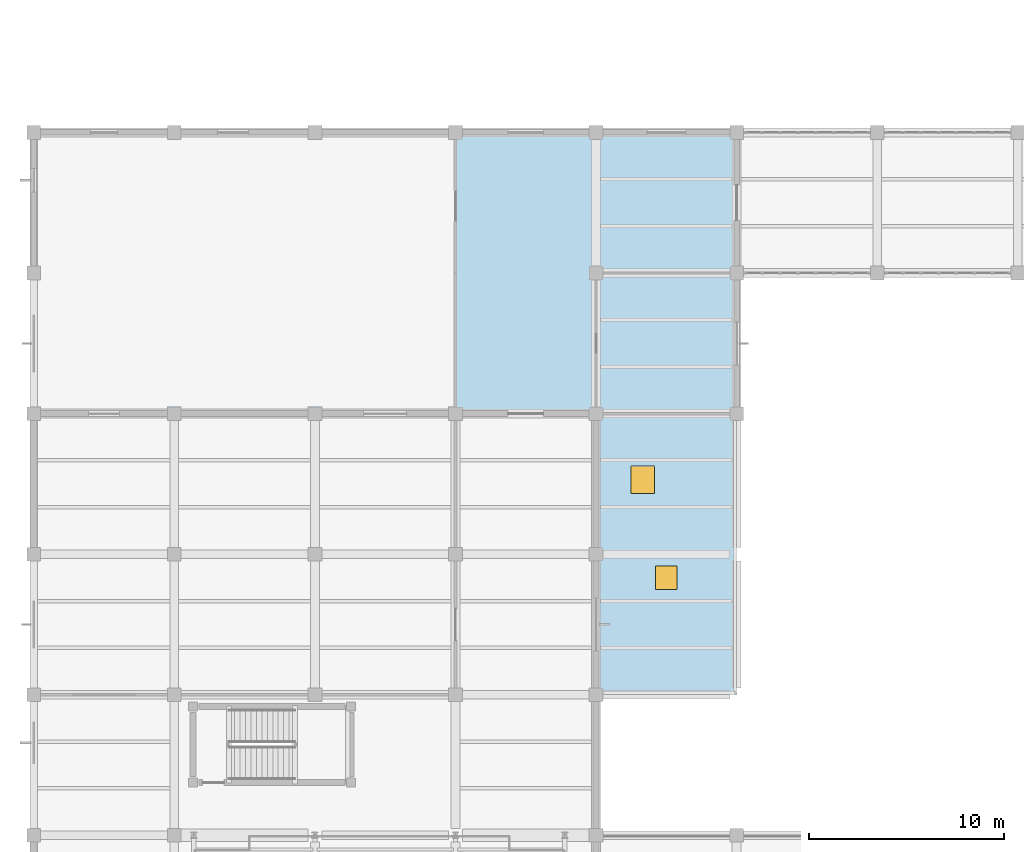
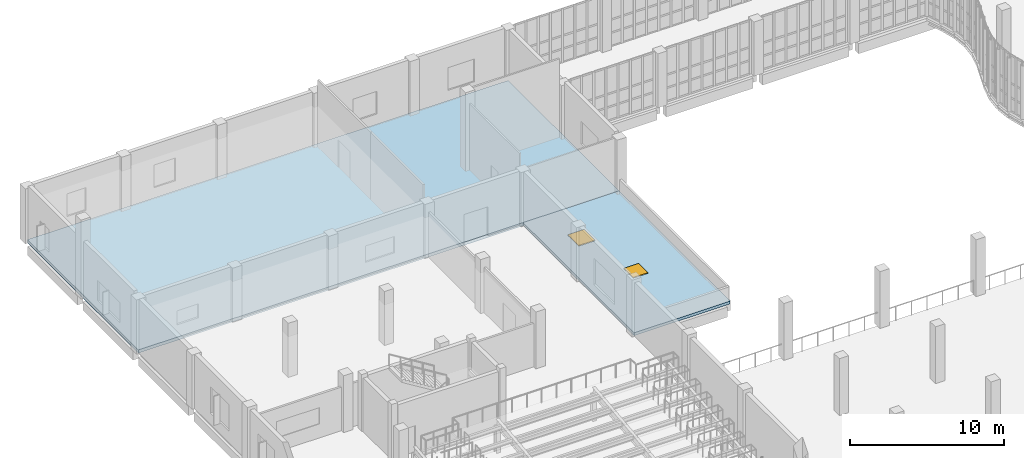
# One storey, part 72 of 108: 2 doors, 2 slabs, 2 openings.
"""IFC4 building model written with IfcOpenShell, lengths in metres."""

from ifc_helpers import new_model, si_unit, direction, frame, origin, origin_2d, place, context, subcontext, project, spatial, polyline, rectangle, outline, extrude, material, layer, layer_set, type_object, element, fill, save


model = new_model("IFC4")

# Units and contexts
model_context = context("Model", 3, precision=1e-05, world=origin(), true_north=direction((0.0, 1.0)))
body_context = subcontext(model_context, "Body", "Model", "MODEL_VIEW")
ifc_project = project(units=[si_unit("LENGTHUNIT", "METRE"), si_unit("AREAUNIT", "SQUARE_METRE"), si_unit("VOLUMEUNIT", "CUBIC_METRE"), si_unit("PLANEANGLEUNIT", "RADIAN"), si_unit("MASSUNIT", "GRAM", prefix="KILO"), si_unit("THERMODYNAMICTEMPERATUREUNIT", "KELVIN"), si_unit("POWERUNIT", "WATT")], contexts=[model_context])

# Site, building, storey
site_placement = place(None, origin())
site = spatial("IfcSite", under=ifc_project, at=site_placement, CompositionType="ELEMENT")
building_placement = place(site_placement, origin())
building = spatial("IfcBuilding", under=site, at=building_placement, Name="Kaldorven Railside Theatre", CompositionType="ELEMENT")
storey_placement = place(building_placement, frame((0.0, 0.0, 5.39990234375)))
storey = spatial("IfcBuildingStorey", under=building, at=storey_placement, Name="L01", CompositionType="ELEMENT", Elevation=5.39990234375)

# Slab
ifc_material_1 = material(Name="Concrete C35/45", Category="concrete")
ifc_layer_1 = layer(ifc_material_1, 0.25, Name="Concrete C35/45")
ifc_layer_set_1 = layer_set([ifc_layer_1], Name="Concrete C35/45")
slab_type_1 = type_object("IfcSlabType", Name="SLB-FSL-250", PredefinedType="FLOOR", material=ifc_layer_set_1)
slab_1_placement = place(storey_placement, frame((0.0, 0.0, -0.25)))
element("IfcSlab", 1, at=slab_1_placement, inside=storey, type_object=slab_type_1, Name="L01 Floor Slab SL-L01-V4", PredefinedType="FLOOR", context=body_context, shape_type="SweptSolid", body=[
    extrude(outline(polyline([(8.0, 62.39990234375), (44.0, 62.39990234375), (44.0, 76.800048828125), (8.0, 76.800048828125), (8.0, 62.39990234375)])), origin(), (0.0, 0.0, 1.0), 0.25),
])

# Slab, openings, doors
ifc_layer_2 = layer(ifc_material_1, 0.219970703125, Name="Concrete C35/45")
ifc_layer_set_2 = layer_set([ifc_layer_2], Name="Concrete C35/45")
slab_type_2 = type_object("IfcSlabType", Name="SLB-RSL-220", PredefinedType="ROOF", material=ifc_layer_set_2)
slab_2_placement = place(storey_placement, frame((0.0, 0.0, -0.219970703125)))
slab_2 = element("IfcSlab", 2, at=slab_2_placement, inside=storey, type_object=slab_type_2, Name="Court Arcade Roof Slab SL-L01-V4BRF", PredefinedType="ROOF", context=body_context, shape_type="SweptSolid", body=[
    extrude(outline(polyline([(36.800048828125, 48.0), (44.0, 48.0), (44.0, 62.39990234375), (36.800048828125, 62.39990234375), (36.800048828125, 48.0)])), origin(), (0.0, 0.0, 1.0), 0.219970703125),
])
opening_1_placement = place(slab_2_placement, frame((40.39990234375, 54.0, -0.010009765625)))
opening_1 = element("IfcOpeningElement", 3, at=opening_1_placement, cuts=slab_2, Name="Opening RH-05", PredefinedType="OPENING", context=body_context, shape_type="SweptSolid", body=[
    extrude(rectangle(XDim=1.108154296875, YDim=1.2080078125, at=origin_2d()), origin(), (0.0, 0.0, 1.0), 0.2900390625),
])
opening_2_placement = place(slab_2_placement, frame((39.199951171875, 59.0, -0.010009765625)))
opening_2 = element("IfcOpeningElement", 4, at=opening_2_placement, cuts=slab_2, Name="Opening RH-06", PredefinedType="OPENING", context=body_context, shape_type="SweptSolid", body=[
    extrude(rectangle(XDim=1.2080078125, YDim=1.407958984375, at=origin_2d()), origin(), (0.0, 0.0, 1.0), 0.2900390625),
])
ifc_material_2 = material(Name="Powder-coated hollow-metal steel", Category="steel")
door_type_1 = type_object("IfcDoorType", Name="DR-TD01", OperationType="NOTDEFINED", PredefinedType="TRAPDOOR", material=ifc_material_2)
door_1_placement = place(opening_1_placement, frame((0.0, 0.0, 0.22998046875)))
door_1 = element("IfcDoor", 5, at=door_1_placement, inside=storey, type_object=door_type_1, Name="Roof Maintenance Access Hatch RH-05", OperationType="SINGLE_SWING_LEFT", OverallHeight=1.199951171875, OverallWidth=1.10009765625, PredefinedType="TRAPDOOR", context=body_context, shape_type="SweptSolid", body=[
    extrude(rectangle(XDim=1.10009765625, YDim=1.199951171875, at=origin_2d()), origin(), (0.0, 0.0, 1.0), 0.050048828125),
])
fill(opening_1, door_1)
door_type_2 = type_object("IfcDoorType", Name="DR-TD02", OperationType="NOTDEFINED", PredefinedType="TRAPDOOR", material=ifc_material_2)
door_2_placement = place(opening_2_placement, frame((0.0, 0.0, 0.22998046875)))
door_2 = element("IfcDoor", 6, at=door_2_placement, inside=storey, type_object=door_type_2, Name="Roof Maintenance Access Hatch RH-06", OperationType="SINGLE_SWING_LEFT", OverallHeight=1.39990234375, OverallWidth=1.199951171875, PredefinedType="TRAPDOOR", context=body_context, shape_type="SweptSolid", body=[
    extrude(rectangle(XDim=1.199951171875, YDim=1.39990234375, at=origin_2d()), origin(), (0.0, 0.0, 1.0), 0.050048828125),
])
fill(opening_2, door_2)

save(model, "model.ifc")
